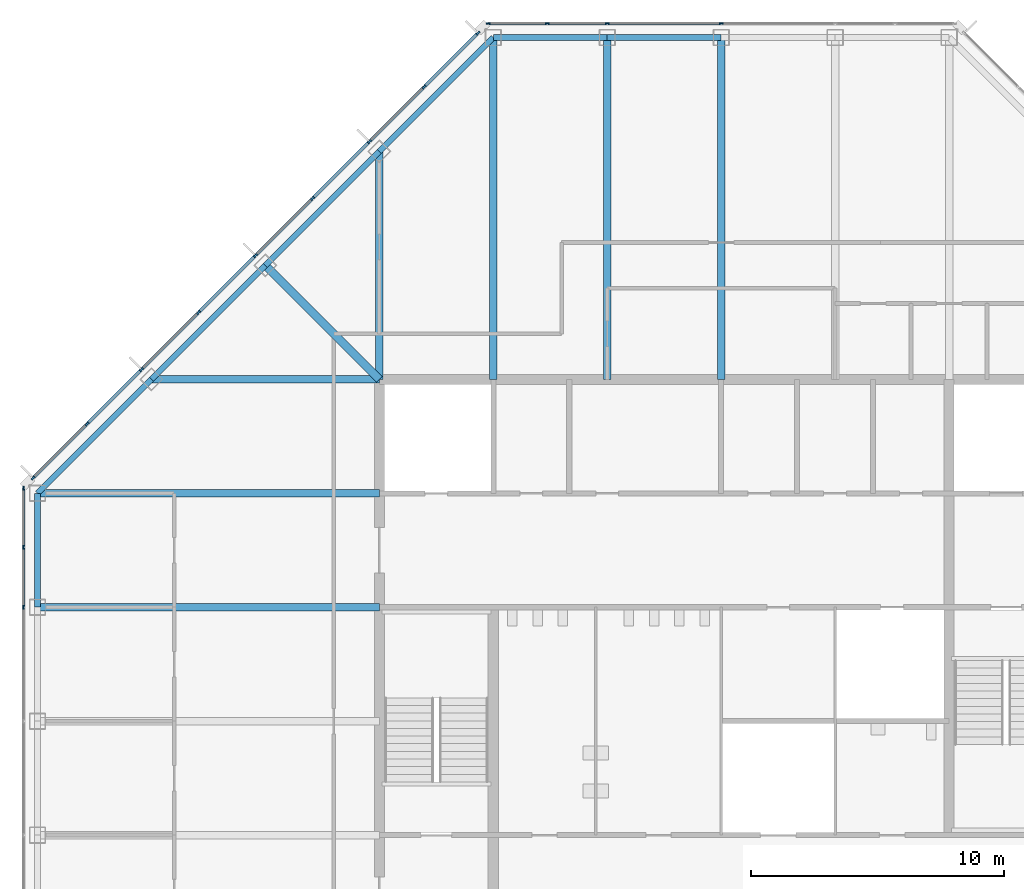
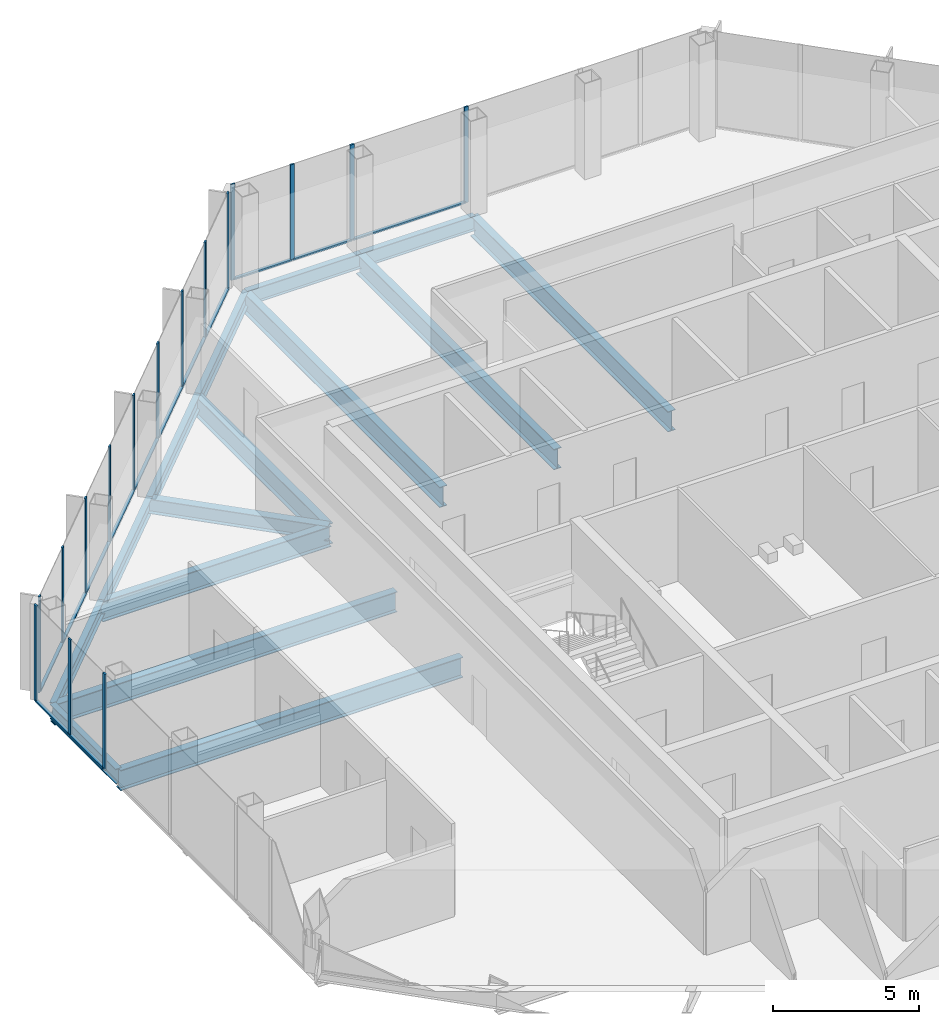
# One storey, part 6 of 14: 29 members, 15 beams, 3 elements without a shape of their own.
"""IFC4 building model written with IfcOpenShell, lengths in metres."""

from ifc_helpers import new_model, si_unit, direction, frame, origin, origin_2d, place, context, subcontext, project, spatial, rectangle, i_section, extrude, material, material_profile, profile_set, type_object, element, aggregate, save


model = new_model("IFC4")

# Units and contexts
model_context = context("Model", 3, precision=1e-05, world=origin(), true_north=direction((0.0, 1.0)))
body_context = subcontext(model_context, "Body", "Model", "MODEL_VIEW")
ifc_project = project(units=[si_unit("LENGTHUNIT", "METRE"), si_unit("AREAUNIT", "SQUARE_METRE"), si_unit("VOLUMEUNIT", "CUBIC_METRE"), si_unit("PLANEANGLEUNIT", "RADIAN"), si_unit("MASSUNIT", "GRAM", prefix="KILO")], contexts=[model_context])

# Site, building, storey
site_placement = place(None, origin())
site = spatial("IfcSite", under=ifc_project, at=site_placement, CompositionType="ELEMENT")
building_placement = place(site_placement, origin())
building = spatial("IfcBuilding", under=site, at=building_placement, Name="Corais Broadcast Tower", CompositionType="ELEMENT")
storey_placement = place(building_placement, frame((0.0, 0.0, 234.60009765625)))
storey = spatial("IfcBuildingStorey", under=building, at=storey_placement, Name="L54", CompositionType="ELEMENT", Elevation=234.60009765625)

# Beams
ifc_material_1 = material(Name="Steel ASTM A572 Grade 50", Category="steel")
ifc_material_profile_1 = material_profile(ifc_material_1, i_section(OverallWidth=0.323974609375, OverallDepth=0.611083984375, WebThickness=0.0126953125, FlangeThickness=0.01904296875, at=origin_2d()), Name="W610x155")
ifc_profile_set_1 = profile_set([ifc_material_profile_1], Name="Steel ASTM A572 Grade 50")
beam_type_1 = type_object("IfcBeamType", Name="Corner diagonal W610x155", PredefinedType="BEAM", material=ifc_profile_set_1)
beam_1_placement = place(storey_placement, frame((9.0, 45.0, -0.465576171875), z_axis=(0.707106781187, -0.707106781187, 0.0), x_axis=(0.707106781187, 0.707106781187, 0.0)))
element("IfcBeam", 1, at=beam_1_placement, inside=storey, type_object=beam_type_1, Name="B6 L/5 to K/6", PredefinedType="BEAM", context=body_context, shape_type="SweptSolid", body=[
    extrude(i_section(OverallWidth=0.323974609375, OverallDepth=0.611083984375, WebThickness=0.0126953125, FlangeThickness=0.01904296875, at=origin_2d()), origin(), (0.0, 0.0, 1.0), 6.364013671875),
])
ifc_material_2 = material(Name="Steel ASTM A572 Grade 50", Category="steel")
ifc_material_profile_2 = material_profile(ifc_material_2, i_section(OverallWidth=0.2939453125, OverallDepth=0.85107421875, WebThickness=0.01611328125, FlangeThickness=0.02685546875, at=origin_2d()), Name="W840x226")
ifc_profile_set_2 = profile_set([ifc_material_profile_2], Name="Steel ASTM A572 Grade 50")
beam_type_2 = type_object("IfcBeamType", Name="Floor beam W840x226", PredefinedType="BEAM", material=ifc_profile_set_2)
for number, where, z_axis, x_axis, name in (
    (2, (0.0, 31.5, -0.585693359375), (1.0, 0.0, 0.0), (0.0, 1.0, 0.0), "B1 H/3 to H/6"),
    (3, (0.0, 36.0, -0.585693359375), (1.0, 0.0, 0.0), (0.0, 1.0, 0.0), "B1 J/3 to J/6"),
):
    element("IfcBeam", number, at=place(storey_placement, frame(where, z_axis=z_axis, x_axis=x_axis)), inside=storey, type_object=beam_type_2, Name=name, PredefinedType="BEAM", context=body_context, shape_type="SweptSolid", body=[
        extrude(i_section(OverallWidth=0.2939453125, OverallDepth=0.85107421875, WebThickness=0.01611328125, FlangeThickness=0.02685546875, at=origin_2d()), origin(), (0.0, 0.0, 1.0), 13.5),
    ])
beam_2_placement = place(storey_placement, frame((13.5, 49.5, -0.585693359375), z_axis=(0.0, -1.0, 0.0), x_axis=(1.0, 0.0, 0.0)))
element("IfcBeam", 4, at=beam_2_placement, inside=storey, type_object=beam_type_2, Name="B1 M/6 to K/6", PredefinedType="BEAM", context=body_context, shape_type="SweptSolid", body=[
    extrude(i_section(OverallWidth=0.2939453125, OverallDepth=0.85107421875, WebThickness=0.01611328125, FlangeThickness=0.02685546875, at=origin_2d()), origin(), (0.0, 0.0, 1.0), 9.0),
])
for number, where, z_axis, x_axis, name in (
    (5, (18.0, 54.0, -0.585693359375), (0.0, -1.0, 0.0), (1.0, 0.0, 0.0), "B1 N/7 to K/7"),
    (6, (22.5, 54.0, -0.585693359375), (0.0, -1.0, 0.0), (1.0, 0.0, 0.0), "B1 N/8 to K/8"),
    (7, (27.0, 54.0, -0.585693359375), (0.0, -1.0, 0.0), (1.0, 0.0, 0.0), "B1 N/9 to K/9"),
):
    element("IfcBeam", number, at=place(storey_placement, frame(where, z_axis=z_axis, x_axis=x_axis)), inside=storey, type_object=beam_type_2, Name=name, PredefinedType="BEAM", context=body_context, shape_type="SweptSolid", body=[
        extrude(i_section(OverallWidth=0.2939453125, OverallDepth=0.85107421875, WebThickness=0.01611328125, FlangeThickness=0.02685546875, at=origin_2d()), origin(), (0.0, 0.0, 1.0), 13.5),
    ])
beam_3_placement = place(storey_placement, frame((4.5, 40.5, -0.585693359375), z_axis=(1.0, 0.0, 0.0), x_axis=(0.0, 1.0, 0.0)))
element("IfcBeam", 8, at=beam_3_placement, inside=storey, type_object=beam_type_2, Name="B1 K/4 to K/6", PredefinedType="BEAM", context=body_context, shape_type="SweptSolid", body=[
    extrude(i_section(OverallWidth=0.2939453125, OverallDepth=0.85107421875, WebThickness=0.01611328125, FlangeThickness=0.02685546875, at=origin_2d()), origin(), (0.0, 0.0, 1.0), 9.0),
])

# Curtain wall, members
ifc_material_3 = material(Name="Aluminium and glass", Category="aluminium")
curtain_wall_type = type_object("IfcCurtainWallType", Name="Unitised fritted curtain wall CW3", PredefinedType="NOTDEFINED", material=ifc_material_3)
curtain_wall_1_placement = place(storey_placement, origin())
curtain_wall_1 = element("IfcCurtainWall", 9, at=curtain_wall_1_placement, inside=storey, type_object=curtain_wall_type, Name="CW3 curtain wall L54 2", PredefinedType="NOTDEFINED")
ifc_material_4 = material(Name="Aluminium 6063-T6", Category="aluminium")
ifc_material_profile_3 = material_profile(ifc_material_4, rectangle(XDim=0.06494140625, YDim=0.159912109375, at=origin_2d()), Name="Mullion CW3 65x160")
ifc_profile_set_3 = profile_set([ifc_material_profile_3], Name="Aluminium 6063-T6")
member_type_1 = type_object("IfcMemberType", Name="Mullion CW3 65x160", PredefinedType="MULLION", material=ifc_profile_set_3)
member_1_placement = place(storey_placement, frame((-0.550048828125, 31.5, 0.0), z_axis=(0.0, 0.0, 1.0), x_axis=(-1.0, 0.0, 0.0)))
member_1 = element("IfcMember", 10, at=member_1_placement, type_object=member_type_1, Name="CW3 mullion 5", PredefinedType="MULLION", context=body_context, shape_type="SweptSolid", body=[
    extrude(rectangle(XDim=0.06494140625, YDim=0.159912109375, at=origin_2d()), origin(), (0.0, 0.0, 1.0), 4.0),
])
member_2_placement = place(storey_placement, frame((-0.550048828125, 33.864013671875, 0.0), z_axis=(0.0, 0.0, 1.0), x_axis=(-1.0, 0.0, 0.0)))
member_2 = element("IfcMember", 11, at=member_2_placement, type_object=member_type_1, Name="CW3 mullion 6", PredefinedType="MULLION", context=body_context, shape_type="SweptSolid", body=[
    extrude(rectangle(XDim=0.06494140625, YDim=0.159912109375, at=origin_2d()), origin(), (0.0, 0.0, 1.0), 4.0),
])
member_3_placement = place(storey_placement, frame((-0.550048828125, 36.1953125, 0.0), z_axis=(0.0, 0.0, 1.0), x_axis=(-1.0, 0.0, 0.0)))
member_3 = element("IfcMember", 12, at=member_3_placement, type_object=member_type_1, Name="CW3 mullion 7", PredefinedType="MULLION", context=body_context, shape_type="SweptSolid", body=[
    extrude(rectangle(XDim=0.06494140625, YDim=0.159912109375, at=origin_2d()), origin(), (0.0, 0.0, 1.0), 4.0),
])

curtain_wall_2_placement = place(storey_placement, origin())
curtain_wall_2 = element("IfcCurtainWall", 13, at=curtain_wall_2_placement, inside=storey, type_object=curtain_wall_type, Name="CW3 curtain wall L54 3", PredefinedType="NOTDEFINED")
member_4_placement = place(storey_placement, frame((-0.17333984375, 36.6044921875, 0.0), z_axis=(0.0, 0.0, 1.0), x_axis=(-0.707106781187, 0.707106781187, 0.0)))
member_4 = element("IfcMember", 14, at=member_4_placement, type_object=member_type_1, Name="CW3 mullion 1", PredefinedType="MULLION", context=body_context, shape_type="SweptSolid", body=[
    extrude(rectangle(XDim=0.06494140625, YDim=0.159912109375, at=origin_2d()), origin(), (0.0, 0.0, 1.0), 4.0),
])
member_5_placement = place(storey_placement, frame((1.957275390625, 38.735107421875, 0.0), z_axis=(0.0, 0.0, 1.0), x_axis=(-0.707106781187, 0.707106781187, 0.0)))
member_5 = element("IfcMember", 15, at=member_5_placement, type_object=member_type_1, Name="CW3 mullion 2", PredefinedType="MULLION", context=body_context, shape_type="SweptSolid", body=[
    extrude(rectangle(XDim=0.06494140625, YDim=0.159912109375, at=origin_2d()), origin(), (0.0, 0.0, 1.0), 4.0),
])
member_6_placement = place(storey_placement, frame((4.111083984375, 40.888916015625, 0.0), z_axis=(0.0, 0.0, 1.0), x_axis=(-0.707106781187, 0.707106781187, 0.0)))
member_6 = element("IfcMember", 16, at=member_6_placement, type_object=member_type_1, Name="CW3 mullion 3", PredefinedType="MULLION", context=body_context, shape_type="SweptSolid", body=[
    extrude(rectangle(XDim=0.06494140625, YDim=0.159912109375, at=origin_2d()), origin(), (0.0, 0.0, 1.0), 4.0),
])
member_7_placement = place(storey_placement, frame((6.361083984375, 43.138916015625, 0.0), z_axis=(0.0, 0.0, 1.0), x_axis=(-0.707106781187, 0.707106781187, 0.0)))
member_7 = element("IfcMember", 17, at=member_7_placement, type_object=member_type_1, Name="CW3 mullion 4", PredefinedType="MULLION", context=body_context, shape_type="SweptSolid", body=[
    extrude(rectangle(XDim=0.06494140625, YDim=0.159912109375, at=origin_2d()), origin(), (0.0, 0.0, 1.0), 4.0),
])
member_8_placement = place(storey_placement, frame((8.611083984375, 45.388916015625, 0.0), z_axis=(0.0, 0.0, 1.0), x_axis=(-0.707106781187, 0.707106781187, 0.0)))
member_8 = element("IfcMember", 18, at=member_8_placement, type_object=member_type_1, Name="CW3 mullion 5", PredefinedType="MULLION", context=body_context, shape_type="SweptSolid", body=[
    extrude(rectangle(XDim=0.06494140625, YDim=0.159912109375, at=origin_2d()), origin(), (0.0, 0.0, 1.0), 4.0),
])
member_9_placement = place(storey_placement, frame((10.861083984375, 47.638916015625, 0.0), z_axis=(0.0, 0.0, 1.0), x_axis=(-0.707106781187, 0.707106781187, 0.0)))
member_9 = element("IfcMember", 19, at=member_9_placement, type_object=member_type_1, Name="CW3 mullion 6", PredefinedType="MULLION", context=body_context, shape_type="SweptSolid", body=[
    extrude(rectangle(XDim=0.06494140625, YDim=0.159912109375, at=origin_2d()), origin(), (0.0, 0.0, 1.0), 4.0),
])
member_10_placement = place(storey_placement, frame((13.111083984375, 49.888916015625, 0.0), z_axis=(0.0, 0.0, 1.0), x_axis=(-0.707106781187, 0.707106781187, 0.0)))
member_10 = element("IfcMember", 20, at=member_10_placement, type_object=member_type_1, Name="CW3 mullion 7", PredefinedType="MULLION", context=body_context, shape_type="SweptSolid", body=[
    extrude(rectangle(XDim=0.06494140625, YDim=0.159912109375, at=origin_2d()), origin(), (0.0, 0.0, 1.0), 4.0),
])
member_11_placement = place(storey_placement, frame((15.264892578125, 52.042724609375, 0.0), z_axis=(0.0, 0.0, 1.0), x_axis=(-0.707106781187, 0.707106781187, 0.0)))
member_11 = element("IfcMember", 21, at=member_11_placement, type_object=member_type_1, Name="CW3 mullion 8", PredefinedType="MULLION", context=body_context, shape_type="SweptSolid", body=[
    extrude(rectangle(XDim=0.06494140625, YDim=0.159912109375, at=origin_2d()), origin(), (0.0, 0.0, 1.0), 4.0),
])
member_12_placement = place(storey_placement, frame((17.3955078125, 54.17333984375, 0.0), z_axis=(0.0, 0.0, 1.0), x_axis=(-0.707106781187, 0.707106781187, 0.0)))
member_12 = element("IfcMember", 22, at=member_12_placement, type_object=member_type_1, Name="CW3 mullion 9", PredefinedType="MULLION", context=body_context, shape_type="SweptSolid", body=[
    extrude(rectangle(XDim=0.06494140625, YDim=0.159912109375, at=origin_2d()), origin(), (0.0, 0.0, 1.0), 4.0),
])

curtain_wall_3_placement = place(storey_placement, origin())
curtain_wall_3 = element("IfcCurtainWall", 23, at=curtain_wall_3_placement, inside=storey, type_object=curtain_wall_type, Name="CW3 curtain wall L54 4", PredefinedType="NOTDEFINED")
member_13_placement = place(storey_placement, frame((17.8046875, 54.550048828125, 0.0), z_axis=(0.0, 0.0, 1.0), x_axis=(0.0, 1.0, 0.0)))
member_13 = element("IfcMember", 24, at=member_13_placement, type_object=member_type_1, Name="CW3 mullion 1", PredefinedType="MULLION", context=body_context, shape_type="SweptSolid", body=[
    extrude(rectangle(XDim=0.06494140625, YDim=0.159912109375, at=origin_2d()), origin(), (0.0, 0.0, 1.0), 4.0),
])
member_14_placement = place(storey_placement, frame((20.135986328125, 54.550048828125, 0.0), z_axis=(0.0, 0.0, 1.0), x_axis=(0.0, 1.0, 0.0)))
member_14 = element("IfcMember", 25, at=member_14_placement, type_object=member_type_1, Name="CW3 mullion 2", PredefinedType="MULLION", context=body_context, shape_type="SweptSolid", body=[
    extrude(rectangle(XDim=0.06494140625, YDim=0.159912109375, at=origin_2d()), origin(), (0.0, 0.0, 1.0), 4.0),
])
member_15_placement = place(storey_placement, frame((22.5, 54.550048828125, 0.0), z_axis=(0.0, 0.0, 1.0), x_axis=(0.0, 1.0, 0.0)))
member_15 = element("IfcMember", 26, at=member_15_placement, type_object=member_type_1, Name="CW3 mullion 3", PredefinedType="MULLION", context=body_context, shape_type="SweptSolid", body=[
    extrude(rectangle(XDim=0.06494140625, YDim=0.159912109375, at=origin_2d()), origin(), (0.0, 0.0, 1.0), 4.0),
])
member_16_placement = place(storey_placement, frame((27.0, 54.550048828125, 0.0), z_axis=(0.0, 0.0, 1.0), x_axis=(0.0, 1.0, 0.0)))
member_16 = element("IfcMember", 27, at=member_16_placement, type_object=member_type_1, Name="CW3 mullion 4", PredefinedType="MULLION", context=body_context, shape_type="SweptSolid", body=[
    extrude(rectangle(XDim=0.06494140625, YDim=0.159912109375, at=origin_2d()), origin(), (0.0, 0.0, 1.0), 4.0),
])

# Beams
ifc_material_5 = material(Name="Steel ASTM A572 Grade 50", Category="steel")
ifc_material_profile_4 = material_profile(ifc_material_5, i_section(OverallWidth=0.22998046875, OverallDepth=0.616943359375, WebThickness=0.01318359375, FlangeThickness=0.022216796875, at=origin_2d()), Name="W610x140")
ifc_profile_set_4 = profile_set([ifc_material_profile_4], Name="Steel ASTM A572 Grade 50")
beam_type_3 = type_object("IfcBeamType", Name="Spandrel W610x140", PredefinedType="BEAM", material=ifc_profile_set_4)
beam_4_placement = place(storey_placement, frame((0.0, 36.0, -0.468505859375), z_axis=(0.0, -1.0, 0.0), x_axis=(1.0, 0.0, 0.0)))
element("IfcBeam", 28, at=beam_4_placement, inside=storey, type_object=beam_type_3, Name="SB3 J/3 to H/3", PredefinedType="BEAM", context=body_context, shape_type="SweptSolid", body=[
    extrude(i_section(OverallWidth=0.22998046875, OverallDepth=0.616943359375, WebThickness=0.01318359375, FlangeThickness=0.022216796875, at=origin_2d()), origin(), (0.0, 0.0, 1.0), 4.5),
])
for number, where, z_axis, x_axis, name in (
    (29, (13.5, 49.5, -0.468505859375), (-0.707106781187, -0.707106781187, 0.0), (0.707106781187, -0.707106781187, 0.0), "SB3 M/6 to L/5"),
    (30, (18.0, 54.0, -0.468505859375), (-0.707106781187, -0.707106781187, 0.0), (0.707106781187, -0.707106781187, 0.0), "SB3 N/7 to M/6"),
):
    element("IfcBeam", number, at=place(storey_placement, frame(where, z_axis=z_axis, x_axis=x_axis)), inside=storey, type_object=beam_type_3, Name=name, PredefinedType="BEAM", context=body_context, shape_type="SweptSolid", body=[
        extrude(i_section(OverallWidth=0.22998046875, OverallDepth=0.616943359375, WebThickness=0.01318359375, FlangeThickness=0.022216796875, at=origin_2d()), origin(), (0.0, 0.0, 1.0), 6.364013671875),
    ])
for number, where, z_axis, x_axis, name in (
    (31, (22.5, 54.0, -0.468505859375), (-1.0, 0.0, 0.0), (0.0, -1.0, 0.0), "SB3 N/8 to N/7"),
    (32, (27.0, 54.0, -0.468505859375), (-1.0, 0.0, 0.0), (0.0, -1.0, 0.0), "SB3 N/9 to N/8"),
):
    element("IfcBeam", number, at=place(storey_placement, frame(where, z_axis=z_axis, x_axis=x_axis)), inside=storey, type_object=beam_type_3, Name=name, PredefinedType="BEAM", context=body_context, shape_type="SweptSolid", body=[
        extrude(i_section(OverallWidth=0.22998046875, OverallDepth=0.616943359375, WebThickness=0.01318359375, FlangeThickness=0.022216796875, at=origin_2d()), origin(), (0.0, 0.0, 1.0), 4.5),
    ])
for number, where, z_axis, x_axis, name in (
    (33, (4.5, 40.5, -0.468505859375), (-0.707106781187, -0.707106781187, 0.0), (0.707106781187, -0.707106781187, 0.0), "SB3 K/4 to J/3"),
    (34, (9.0, 45.0, -0.468505859375), (-0.707106781187, -0.707106781187, 0.0), (0.707106781187, -0.707106781187, 0.0), "SB3 L/5 to K/4"),
):
    element("IfcBeam", number, at=place(storey_placement, frame(where, z_axis=z_axis, x_axis=x_axis)), inside=storey, type_object=beam_type_3, Name=name, PredefinedType="BEAM", context=body_context, shape_type="SweptSolid", body=[
        extrude(i_section(OverallWidth=0.22998046875, OverallDepth=0.616943359375, WebThickness=0.01318359375, FlangeThickness=0.022216796875, at=origin_2d()), origin(), (0.0, 0.0, 1.0), 6.364013671875),
    ])

# Member
ifc_material_6 = material(Name="Aluminium 6063-T6", Category="aluminium")
ifc_material_profile_5 = material_profile(ifc_material_6, rectangle(XDim=0.1201171875, YDim=0.06494140625, at=origin_2d()), Name="Transom CW3 65x120")
ifc_profile_set_5 = profile_set([ifc_material_profile_5], Name="Aluminium 6063-T6")
member_type_2 = type_object("IfcMemberType", Name="Transom CW3 65x120", PredefinedType="USERDEFINED", material=ifc_profile_set_5)
member_17_placement = place(storey_placement, frame((-0.550048828125, 31.532470703125, 0.032470703125), z_axis=(0.0, 1.0, 0.0), x_axis=(-1.0, 0.0, 0.0)))
member_17 = element("IfcMember", 35, at=member_17_placement, type_object=member_type_2, Name="CW3 transom 5.1", ObjectType="TRANSOM", PredefinedType="USERDEFINED", context=body_context, shape_type="SweptSolid", body=[
    extrude(rectangle(XDim=0.1201171875, YDim=0.06494140625, at=origin_2d()), origin(), (0.0, 0.0, 1.0), 2.298828125),
])

member_18_placement = place(storey_placement, frame((-0.550048828125, 33.896484375, 0.032470703125), z_axis=(0.0, 1.0, 0.0), x_axis=(-1.0, 0.0, 0.0)))
member_18 = element("IfcMember", 36, at=member_18_placement, type_object=member_type_2, Name="CW3 transom 6.1", ObjectType="TRANSOM", PredefinedType="USERDEFINED", context=body_context, shape_type="SweptSolid", body=[
    extrude(rectangle(XDim=0.1201171875, YDim=0.06494140625, at=origin_2d()), origin(), (0.0, 0.0, 1.0), 2.266357421875),
])

aggregate(curtain_wall_1, [member_1, member_2, member_3, member_17, member_18])

member_19_placement = place(storey_placement, frame((-0.150390625, 36.62744140625, 0.032470703125), z_axis=(0.707106781187, 0.707106781187, 0.0), x_axis=(-0.707106781187, 0.707106781187, 0.0)))
member_19 = element("IfcMember", 37, at=member_19_placement, type_object=member_type_2, Name="CW3 transom 1.1", ObjectType="TRANSOM", PredefinedType="USERDEFINED", context=body_context, shape_type="SweptSolid", body=[
    extrude(rectangle(XDim=0.1201171875, YDim=0.06494140625, at=origin_2d()), origin(), (0.0, 0.0, 1.0), 2.9482421875),
])

member_20_placement = place(storey_placement, frame((1.980224609375, 38.758056640625, 0.032470703125), z_axis=(0.707106781187, 0.707106781187, 0.0), x_axis=(-0.707106781187, 0.707106781187, 0.0)))
member_20 = element("IfcMember", 38, at=member_20_placement, type_object=member_type_2, Name="CW3 transom 2.1", ObjectType="TRANSOM", PredefinedType="USERDEFINED", context=body_context, shape_type="SweptSolid", body=[
    extrude(rectangle(XDim=0.1201171875, YDim=0.06494140625, at=origin_2d()), origin(), (0.0, 0.0, 1.0), 2.98095703125),
])

member_21_placement = place(storey_placement, frame((4.134033203125, 40.911865234375, 0.032470703125), z_axis=(0.707106781187, 0.707106781187, 0.0), x_axis=(-0.707106781187, 0.707106781187, 0.0)))
member_21 = element("IfcMember", 39, at=member_21_placement, type_object=member_type_2, Name="CW3 transom 3.1", ObjectType="TRANSOM", PredefinedType="USERDEFINED", context=body_context, shape_type="SweptSolid", body=[
    extrude(rectangle(XDim=0.1201171875, YDim=0.06494140625, at=origin_2d()), origin(), (0.0, 0.0, 1.0), 3.1171875),
])

member_22_placement = place(storey_placement, frame((6.384033203125, 43.161865234375, 0.032470703125), z_axis=(0.707106781187, 0.707106781187, 0.0), x_axis=(-0.707106781187, 0.707106781187, 0.0)))
member_22 = element("IfcMember", 40, at=member_22_placement, type_object=member_type_2, Name="CW3 transom 4.1", ObjectType="TRANSOM", PredefinedType="USERDEFINED", context=body_context, shape_type="SweptSolid", body=[
    extrude(rectangle(XDim=0.1201171875, YDim=0.06494140625, at=origin_2d()), origin(), (0.0, 0.0, 1.0), 3.1171875),
])

member_23_placement = place(storey_placement, frame((8.634033203125, 45.411865234375, 0.032470703125), z_axis=(0.707106781187, 0.707106781187, 0.0), x_axis=(-0.707106781187, 0.707106781187, 0.0)))
member_23 = element("IfcMember", 41, at=member_23_placement, type_object=member_type_2, Name="CW3 transom 5.1", ObjectType="TRANSOM", PredefinedType="USERDEFINED", context=body_context, shape_type="SweptSolid", body=[
    extrude(rectangle(XDim=0.1201171875, YDim=0.06494140625, at=origin_2d()), origin(), (0.0, 0.0, 1.0), 3.1171875),
])

member_24_placement = place(storey_placement, frame((10.884033203125, 47.661865234375, 0.032470703125), z_axis=(0.707106781187, 0.707106781187, 0.0), x_axis=(-0.707106781187, 0.707106781187, 0.0)))
member_24 = element("IfcMember", 42, at=member_24_placement, type_object=member_type_2, Name="CW3 transom 6.1", ObjectType="TRANSOM", PredefinedType="USERDEFINED", context=body_context, shape_type="SweptSolid", body=[
    extrude(rectangle(XDim=0.1201171875, YDim=0.06494140625, at=origin_2d()), origin(), (0.0, 0.0, 1.0), 3.1171875),
])

member_25_placement = place(storey_placement, frame((13.134033203125, 49.911865234375, 0.032470703125), z_axis=(0.70714773134, 0.707065828661, 0.0), x_axis=(-0.707065828661, 0.70714773134, 0.0)))
member_25 = element("IfcMember", 43, at=member_25_placement, type_object=member_type_2, Name="CW3 transom 7.1", ObjectType="TRANSOM", PredefinedType="USERDEFINED", context=body_context, shape_type="SweptSolid", body=[
    extrude(rectangle(XDim=0.1201171875, YDim=0.06494140625, at=origin_2d()), origin(), (0.0, 0.0, 1.0), 2.98095703125),
])

member_26_placement = place(storey_placement, frame((15.287841796875, 52.065673828125, 0.032470703125), z_axis=(0.707106781187, 0.707106781187, 0.0), x_axis=(-0.707106781187, 0.707106781187, 0.0)))
member_26 = element("IfcMember", 44, at=member_26_placement, type_object=member_type_2, Name="CW3 transom 8.1", ObjectType="TRANSOM", PredefinedType="USERDEFINED", context=body_context, shape_type="SweptSolid", body=[
    extrude(rectangle(XDim=0.1201171875, YDim=0.06494140625, at=origin_2d()), origin(), (0.0, 0.0, 1.0), 2.9482421875),
])

aggregate(curtain_wall_2, [member_4, member_5, member_6, member_7, member_8, member_9, member_10, member_11, member_12, member_19, member_20, member_21, member_22, member_23, member_24, member_25, member_26])

member_27_placement = place(storey_placement, frame((17.837158203125, 54.550048828125, 0.032470703125), z_axis=(1.0, 0.0, 0.0), x_axis=(0.0, 1.0, 0.0)))
member_27 = element("IfcMember", 45, at=member_27_placement, type_object=member_type_2, Name="CW3 transom 1.1", ObjectType="TRANSOM", PredefinedType="USERDEFINED", context=body_context, shape_type="SweptSolid", body=[
    extrude(rectangle(XDim=0.1201171875, YDim=0.06494140625, at=origin_2d()), origin(), (0.0, 0.0, 1.0), 2.266357421875),
])

member_28_placement = place(storey_placement, frame((20.168701171875, 54.550048828125, 0.032470703125), z_axis=(1.0, 0.0, 0.0), x_axis=(0.0, 1.0, 0.0)))
member_28 = element("IfcMember", 46, at=member_28_placement, type_object=member_type_2, Name="CW3 transom 2.1", ObjectType="TRANSOM", PredefinedType="USERDEFINED", context=body_context, shape_type="SweptSolid", body=[
    extrude(rectangle(XDim=0.1201171875, YDim=0.06494140625, at=origin_2d()), origin(), (0.0, 0.0, 1.0), 2.298828125),
])

member_29_placement = place(storey_placement, frame((22.532470703125, 54.550048828125, 0.032470703125), z_axis=(1.0, 0.0, 0.0), x_axis=(0.0, 1.0, 0.0)))
member_29 = element("IfcMember", 47, at=member_29_placement, type_object=member_type_2, Name="CW3 transom 3.1", ObjectType="TRANSOM", PredefinedType="USERDEFINED", context=body_context, shape_type="SweptSolid", body=[
    extrude(rectangle(XDim=0.1201171875, YDim=0.06494140625, at=origin_2d()), origin(), (0.0, 0.0, 1.0), 4.43505859375),
])

aggregate(curtain_wall_3, [member_13, member_14, member_15, member_16, member_27, member_28, member_29])

save(model, "model.ifc")
